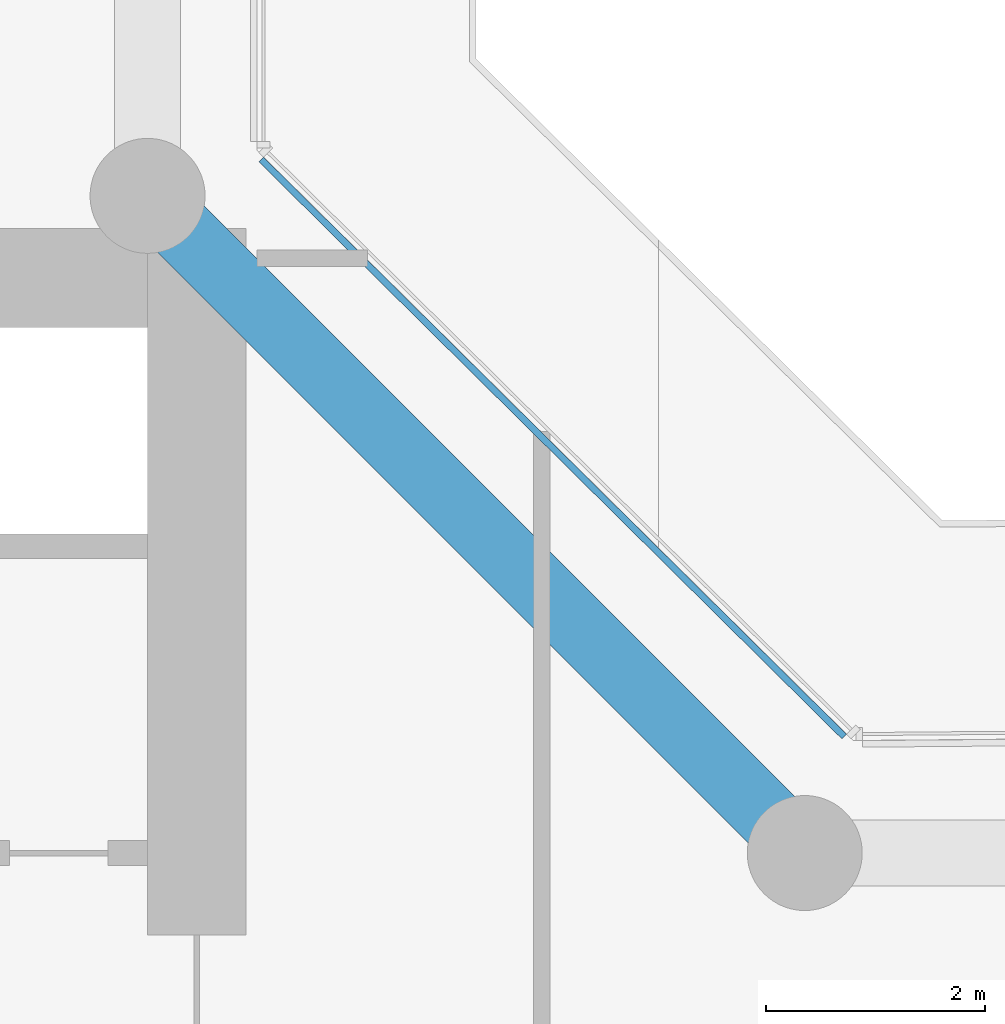
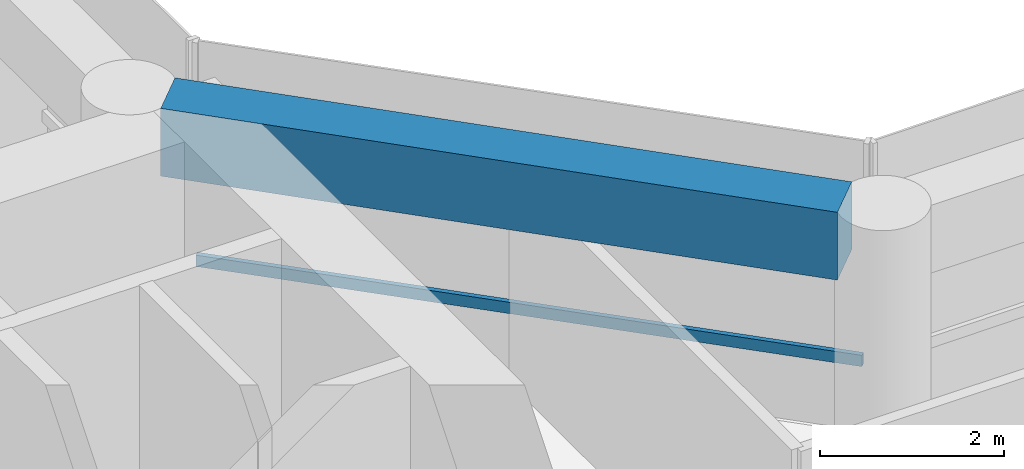
# One storey, part 5 of 28: 1 beam, 1 member, 1 element without a shape of its own.
"""IFC4 building model written with IfcOpenShell, lengths in metres."""

from ifc_helpers import new_model, si_unit, direction, frame, origin, origin_2d, place, context, subcontext, project, spatial, rectangle, extrude, material, layer, layer_set, material_profile, profile_set, type_object, element, aggregate, save


model = new_model("IFC4")

# Units and contexts
model_context = context("Model", 3, precision=1e-05, world=origin(), true_north=direction((0.0, 1.0)))
body_context = subcontext(model_context, "Body", "Model", "MODEL_VIEW")
ifc_project = project(units=[si_unit("LENGTHUNIT", "METRE"), si_unit("AREAUNIT", "SQUARE_METRE"), si_unit("VOLUMEUNIT", "CUBIC_METRE"), si_unit("PLANEANGLEUNIT", "RADIAN"), si_unit("MASSUNIT", "GRAM", prefix="KILO")], contexts=[model_context])

# Site, building, storey
site_placement = place(None, origin())
site = spatial("IfcSite", under=ifc_project, at=site_placement, CompositionType="ELEMENT")
building_placement = place(site_placement, origin())
building = spatial("IfcBuilding", under=site, at=building_placement, Name="Welwitschia Terrace Campus", CompositionType="ELEMENT")
storey_placement = place(building_placement, frame((0.0, 0.0, 54.199951171875)))
storey = spatial("IfcBuildingStorey", under=building, at=storey_placement, Name="L12", CompositionType="ELEMENT", Elevation=54.199951171875)

# Beam
ifc_material_1 = material(Name="Concrete C60/75", Category="concrete")
ifc_material_profile_1 = material_profile(ifc_material_1, rectangle(XDim=0.60009765625, YDim=0.89990234375, at=origin_2d()))
ifc_profile_set_1 = profile_set([ifc_material_profile_1], Name="Concrete C60/75")
beam_type = type_object("IfcBeamType", Name="Ring spandrel 600x900", PredefinedType="SPANDREL", material=ifc_profile_set_1)
beam_placement = place(storey_placement, frame((29.69482421875, 20.30517578125, 3.400146484375), z_axis=(-0.707106781187, 0.707106781187, 0.0), x_axis=(-0.707106781187, -0.707106781187, 0.0)))
element("IfcBeam", 1, at=beam_placement, inside=storey, type_object=beam_type, Name="Spandrel SP2", PredefinedType="SPANDREL", context=body_context, shape_type="SweptSolid", body=[
    extrude(rectangle(XDim=0.60009765625, YDim=0.89990234375, at=origin_2d()), origin(), (0.0, 0.0, 1.0), 7.6220703125),
])

# Curtain wall, member
ifc_material_2 = material(Name="Bronze anodised aluminium", Category="aluminium")
ifc_layer = layer(ifc_material_2, 0.1201171875)
ifc_layer_set = layer_set([ifc_layer], Name="Bronze anodised aluminium")
curtain_wall_type = type_object("IfcCurtainWallType", Name="Curtain wall CW2 tower 6000", PredefinedType="NOTDEFINED", material=ifc_layer_set)
curtain_wall_placement = place(storey_placement, origin())
curtain_wall = element("IfcCurtainWall", 2, at=curtain_wall_placement, inside=storey, type_object=curtain_wall_type, Name="CW L12.9.0", PredefinedType="NOTDEFINED")
ifc_material_3 = material(Name="Bronze anodised aluminium", Category="aluminium")
ifc_material_profile_2 = material_profile(ifc_material_3, rectangle(XDim=0.06005859375, YDim=0.14990234375, at=origin_2d()))
ifc_profile_set_2 = profile_set([ifc_material_profile_2], Name="Bronze anodised aluminium")
member_type = type_object("IfcMemberType", Name="Transom 60x150", PredefinedType="USERDEFINED", material=ifc_profile_set_2)
member_placement = place(storey_placement, frame((30.3603515625, 21.06396484375, 1.0), z_axis=(-0.710748404275, 0.703446306281, 0.0), x_axis=(-0.703446306281, -0.710748404275, 0.0)))
member = element("IfcMember", 3, at=member_placement, type_object=member_type, Name="Transom L12.9.0", ObjectType="TRANSOM", PredefinedType="USERDEFINED", context=body_context, shape_type="SweptSolid", body=[
    extrude(rectangle(XDim=0.06005859375, YDim=0.14990234375, at=origin_2d()), origin(), (0.0, 0.0, 1.0), 7.4892578125),
])
aggregate(curtain_wall, [member])

save(model, "model.ifc")
